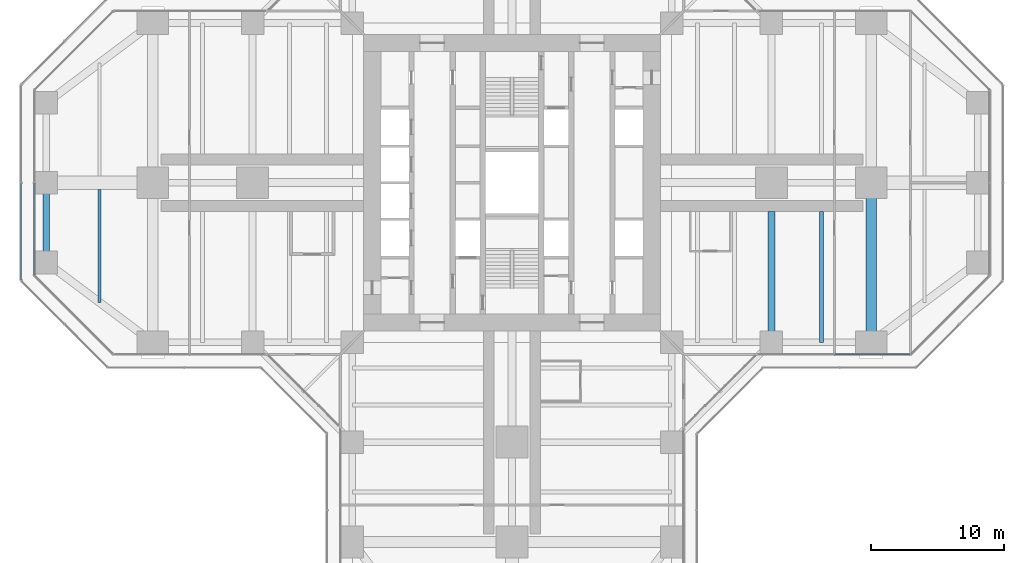
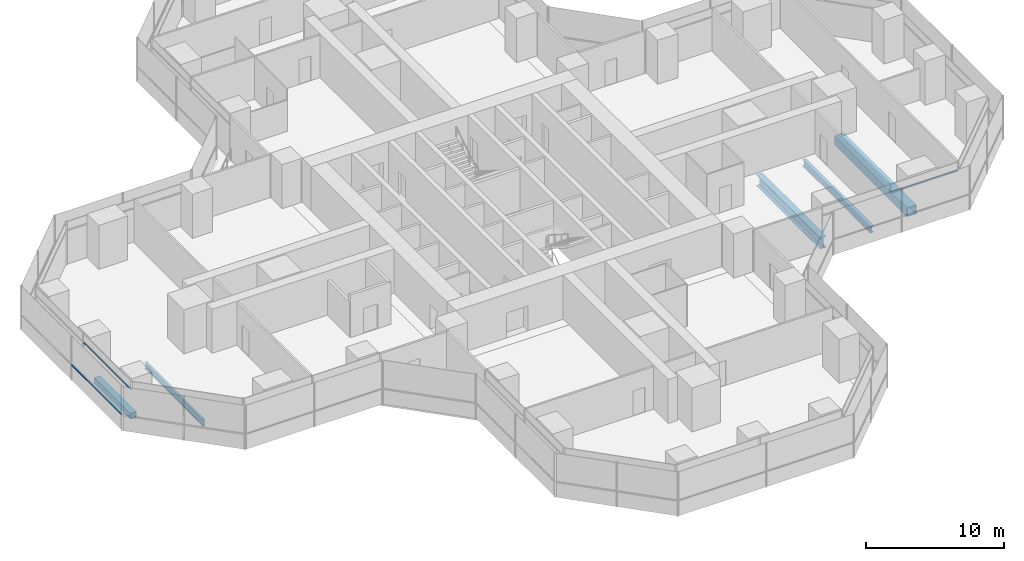
# One storey, part 7 of 22: 5 beams, 3 members, 3 elements without a shape of their own.
"""IFC4 building model written with IfcOpenShell, lengths in metres."""

from ifc_helpers import new_model, si_unit, direction, frame, origin, origin_2d, place, context, subcontext, project, spatial, rectangle, hollow_rectangle, i_section, extrude, material, material_profile, profile_set, type_object, element, aggregate, save


model = new_model("IFC4")

# Units and contexts
model_context = context("Model", 3, precision=1e-05, world=origin(), true_north=direction((0.0, 1.0)))
body_context = subcontext(model_context, "Body", "Model", "MODEL_VIEW")
ifc_project = project(units=[si_unit("LENGTHUNIT", "METRE"), si_unit("AREAUNIT", "SQUARE_METRE"), si_unit("VOLUMEUNIT", "CUBIC_METRE"), si_unit("PLANEANGLEUNIT", "RADIAN"), si_unit("MASSUNIT", "GRAM", prefix="KILO")], contexts=[model_context])

# Site, building, storey
site_placement = place(None, origin())
site = spatial("IfcSite", under=ifc_project, at=site_placement, CompositionType="ELEMENT")
building_placement = place(site_placement, origin())
building = spatial("IfcBuilding", under=site, at=building_placement, Name="Mizan Broadcast Tower", CompositionType="ELEMENT")
storey_placement = place(building_placement, frame((0.0, 0.0, 109.800048828125)))
storey = spatial("IfcBuildingStorey", under=building, at=storey_placement, Name="L24", CompositionType="ELEMENT", Elevation=109.800048828125)

# Beams
ifc_material_1 = material(Name="Steel S355", Category="steel")
ifc_material_profile_1 = material_profile(ifc_material_1, hollow_rectangle(XDim=0.5, YDim=0.5, WallThickness=0.030029296875, at=origin_2d()), Name="BOX 500x500x30")
ifc_profile_set_1 = profile_set([ifc_material_profile_1], Name="Steel S355")
beam_type_1 = type_object("IfcBeamType", Name="EDGE BEAM BOX 500x500x30", PredefinedType="SPANDREL", material=ifc_profile_set_1)
beam_1_placement = place(storey_placement, frame((-35.0, -5.639892578125, -0.380126953125), z_axis=(0.0, 1.0, 0.0), x_axis=(-1.0, 0.0, 0.0)))
element("IfcBeam", 1, at=beam_1_placement, inside=storey, type_object=beam_type_1, Name="Edge beam BOX 500x500x30 L24 west arm", PredefinedType="SPANDREL", context=body_context, shape_type="SweptSolid", body=[
    extrude(hollow_rectangle(XDim=0.5, YDim=0.5, WallThickness=0.030029296875, at=origin_2d()), origin(), (0.0, 0.0, 1.0), 5.27978515625),
])
ifc_material_2 = material(Name="Steel S460", Category="steel")
ifc_material_profile_2 = material_profile(ifc_material_2, hollow_rectangle(XDim=0.800048828125, YDim=0.800048828125, WallThickness=0.050048828125, at=origin_2d()), Name="BOX 800x800x50")
ifc_profile_set_2 = profile_set([ifc_material_profile_2], Name="Steel S460")
beam_type_2 = type_object("IfcBeamType", Name="GIRDER BOX 800x800x50", PredefinedType="BEAM", material=ifc_profile_set_2)
beam_2_placement = place(storey_placement, frame((27.0, -11.280029296875, -0.530029296875), z_axis=(0.0, 1.0, 0.0), x_axis=(-1.0, 0.0, 0.0)))
element("IfcBeam", 2, at=beam_2_placement, inside=storey, type_object=beam_type_2, Name="Girder BOX 800x800x50 L24 east arm", PredefinedType="BEAM", context=body_context, shape_type="SweptSolid", body=[
    extrude(hollow_rectangle(XDim=0.800048828125, YDim=0.800048828125, WallThickness=0.050048828125, at=origin_2d()), origin(), (0.0, 0.0, 1.0), 10.56005859375),
])
ifc_material_3 = material(Name="Steel S460", Category="steel")
ifc_material_profile_3 = material_profile(ifc_material_3, i_section(OverallWidth=0.5, OverallDepth=1.0, WebThickness=0.02490234375, FlangeThickness=0.050048828125, at=origin_2d()), Name="WPG 1000x500")
ifc_profile_set_3 = profile_set([ifc_material_profile_3], Name="Steel S460")
beam_type_3 = type_object("IfcBeamType", Name="GIRDER WPG 1000x500", PredefinedType="BEAM", material=ifc_profile_set_3)
beam_3_placement = place(storey_placement, frame((19.5, -11.408935546875, -0.630126953125), z_axis=(0.0, 1.0, 0.0), x_axis=(-1.0, 0.0, 0.0)))
element("IfcBeam", 3, at=beam_3_placement, inside=storey, type_object=beam_type_3, Name="Girder WPG 1000x500 L24 east arm", PredefinedType="BEAM", context=body_context, shape_type="SweptSolid", body=[
    extrude(i_section(OverallWidth=0.5, OverallDepth=1.0, WebThickness=0.02490234375, FlangeThickness=0.050048828125, at=origin_2d()), origin(), (0.0, 0.0, 1.0), 9.259033203125),
])

# Curtain wall, member
ifc_material_4 = material(Name="Aluminium framed glazing", Category="aluminium")
curtain_wall_type_1 = type_object("IfcCurtainWallType", Name="INNER SKIN LOW ZONE", PredefinedType="USERDEFINED", material=ifc_material_4)
curtain_wall_1_placement = place(storey_placement, origin())
curtain_wall_1 = element("IfcCurtainWall", 4, at=curtain_wall_1_placement, inside=storey, type_object=curtain_wall_type_1, Name="Inner skin low zone L24 E side", ObjectType="INNER SKIN LOW ZONE", PredefinedType="USERDEFINED")
ifc_material_5 = material(Name="Aluminium, pale anodised", Category="aluminium")
ifc_material_profile_4 = material_profile(ifc_material_5, rectangle(XDim=0.1201171875, YDim=0.06005859375, at=origin_2d()), Name="TRANSOM 120x60")
ifc_profile_set_4 = profile_set([ifc_material_profile_4], Name="Aluminium, pale anodised")
member_type_1 = type_object("IfcMemberType", Name="INNER SKIN TRANSOM 60x120", PredefinedType="USERDEFINED", material=ifc_profile_set_4)
member_1_placement = place(storey_placement, frame((24.25927734375, -12.89990234375, 3.030029296875), z_axis=(1.0, 0.0, 0.0), x_axis=(0.0, 1.0, 0.0)))
member_1 = element("IfcMember", 5, at=member_1_placement, type_object=member_type_1, Name="Inner skin low zone L24 E side transom 2.1", ObjectType="TRANSOM", PredefinedType="USERDEFINED", context=body_context, shape_type="SweptSolid", body=[
    extrude(rectangle(XDim=0.1201171875, YDim=0.06005859375, at=origin_2d()), origin(), (0.0, 0.0, 1.0), 5.639404296875),
])
aggregate(curtain_wall_1, [member_1])

curtain_wall_2_placement = place(storey_placement, origin())
curtain_wall_2 = element("IfcCurtainWall", 6, at=curtain_wall_2_placement, inside=storey, type_object=curtain_wall_type_1, Name="Inner skin low zone L24 W end", ObjectType="INNER SKIN LOW ZONE", PredefinedType="USERDEFINED")
member_2_placement = place(storey_placement, frame((-35.89990234375, -0.030029296875, 3.030029296875), z_axis=(0.0, -1.0, 0.0), x_axis=(1.0, 0.0, 0.0)))
member_2 = element("IfcMember", 7, at=member_2_placement, type_object=member_type_1, Name="Inner skin low zone L24 W end transom 2.1", ObjectType="TRANSOM", PredefinedType="USERDEFINED", context=body_context, shape_type="SweptSolid", body=[
    extrude(rectangle(XDim=0.1201171875, YDim=0.06005859375, at=origin_2d()), origin(), (0.0, 0.0, 1.0), 6.86865234375),
])
aggregate(curtain_wall_2, [member_2])

ifc_material_6 = material(Name="Aluminium framed glazing", Category="aluminium")
curtain_wall_type_2 = type_object("IfcCurtainWallType", Name="OUTER SKIN", PredefinedType="USERDEFINED", material=ifc_material_6)
curtain_wall_3_placement = place(storey_placement, origin())
curtain_wall_3 = element("IfcCurtainWall", 8, at=curtain_wall_3_placement, inside=storey, type_object=curtain_wall_type_2, Name="Outer skin L24 W end", ObjectType="OUTER SKIN", PredefinedType="USERDEFINED")
ifc_material_7 = material(Name="Aluminium, pale anodised", Category="aluminium")
ifc_material_profile_5 = material_profile(ifc_material_7, rectangle(XDim=0.159912109375, YDim=0.06005859375, at=origin_2d()), Name="TRANSOM 160x60")
ifc_profile_set_5 = profile_set([ifc_material_profile_5], Name="Aluminium, pale anodised")
member_type_2 = type_object("IfcMemberType", Name="OUTER SKIN TRANSOM 60x160", PredefinedType="USERDEFINED", material=ifc_profile_set_5)
member_3_placement = place(storey_placement, frame((-36.89990234375, -0.0400390625, 1.39990234375), z_axis=(0.0, -1.0, 0.0), x_axis=(1.0, 0.0, 0.0)))
member_3 = element("IfcMember", 9, at=member_3_placement, type_object=member_type_2, Name="Outer skin L24 W end transom 2.1", ObjectType="TRANSOM", PredefinedType="USERDEFINED", context=body_context, shape_type="SweptSolid", body=[
    extrude(rectangle(XDim=0.159912109375, YDim=0.06005859375, at=origin_2d()), origin(), (0.0, 0.0, 1.0), 7.252685546875),
])
aggregate(curtain_wall_3, [member_3])

# Beams
ifc_material_8 = material(Name="Steel S355", Category="steel")
ifc_material_profile_6 = material_profile(ifc_material_8, i_section(OverallWidth=0.300048828125, OverallDepth=0.590087890625, WebThickness=0.012939453125, FlangeThickness=0.02490234375, FilletRadius=0.027099609375, at=origin_2d()), Name="HEA 600")
ifc_profile_set_6 = profile_set([ifc_material_profile_6], Name="Steel S355")
beam_type_4 = type_object("IfcBeamType", Name="SECONDARY BEAM HEA 600", PredefinedType="JOIST", material=ifc_profile_set_6)
beam_4_placement = place(storey_placement, frame((23.25, -12.0, -0.425048828125), z_axis=(0.0, 1.0, 0.0), x_axis=(-1.0, 0.0, 0.0)))
element("IfcBeam", 10, at=beam_4_placement, inside=storey, type_object=beam_type_4, Name="Secondary beam HEA 600 L24 east arm", PredefinedType="JOIST", context=body_context, shape_type="SweptSolid", body=[
    extrude(i_section(OverallWidth=0.300048828125, OverallDepth=0.590087890625, WebThickness=0.012939453125, FlangeThickness=0.02490234375, FilletRadius=0.027099609375, at=origin_2d()), origin(), (0.0, 0.0, 1.0), 9.85009765625),
])
ifc_material_9 = material(Name="Steel S355", Category="steel")
ifc_material_profile_7 = material_profile(ifc_material_9, i_section(OverallWidth=0.2099609375, OverallDepth=0.550048828125, WebThickness=0.010986328125, FlangeThickness=0.01708984375, FilletRadius=0.02392578125, at=origin_2d()), Name="IPE 550")
ifc_profile_set_7 = profile_set([ifc_material_profile_7], Name="Steel S355")
beam_type_5 = type_object("IfcBeamType", Name="SECONDARY BEAM IPE 550", PredefinedType="JOIST", material=ifc_profile_set_7)
beam_5_placement = place(storey_placement, frame((-31.0, -9.0, -0.405029296875), z_axis=(0.0, 1.0, 0.0), x_axis=(-1.0, 0.0, 0.0)))
element("IfcBeam", 11, at=beam_5_placement, inside=storey, type_object=beam_type_5, Name="Secondary beam IPE 550 L24 west arm", PredefinedType="JOIST", context=body_context, shape_type="SweptSolid", body=[
    extrude(i_section(OverallWidth=0.2099609375, OverallDepth=0.550048828125, WebThickness=0.010986328125, FlangeThickness=0.01708984375, FilletRadius=0.02392578125, at=origin_2d()), origin(), (0.0, 0.0, 1.0), 8.5),
])

save(model, "model.ifc")
